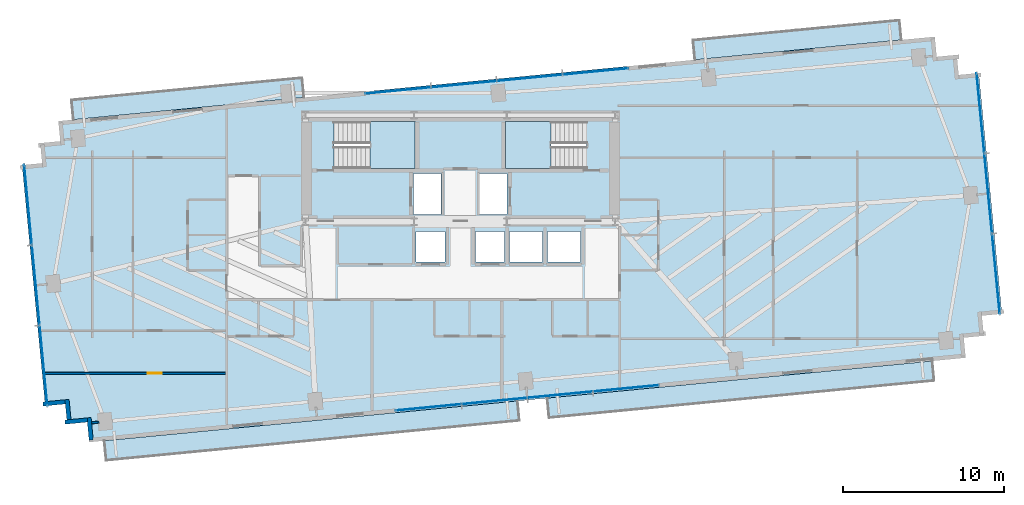
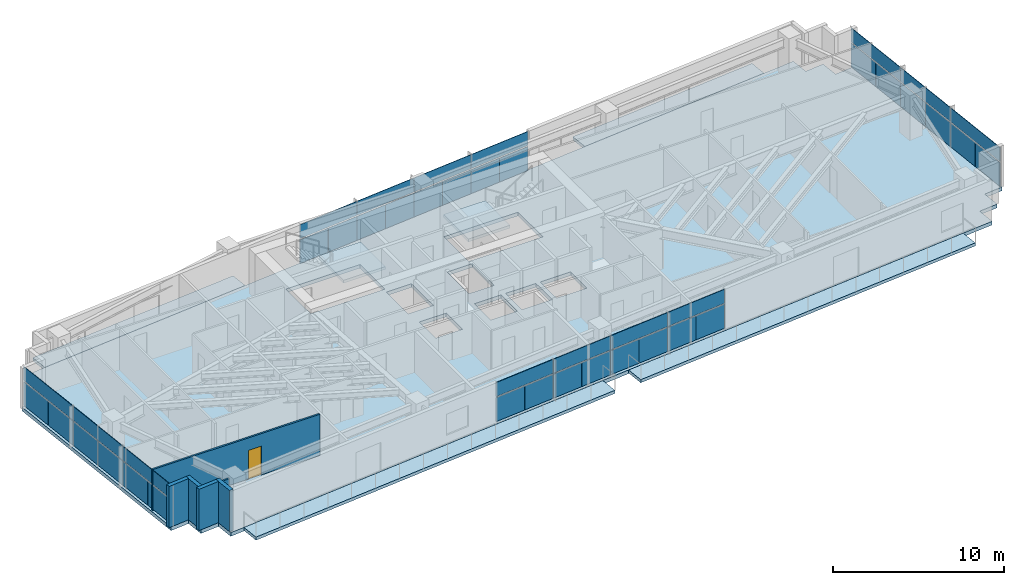
# One storey, part 18 of 25: 42 plates, 7 slabs, 6 walls, 1 door, 1 opening, 6 elements without a shape of their own.
"""IFC4 building model written with IfcOpenShell, lengths in metres."""

from ifc_helpers import new_model, si_unit, direction, frame, frame_2d, origin, origin_2d, place, context, subcontext, project, spatial, polyline, rectangle, outline, extrude, source, transform, mapped, material, layer, layer_set, type_object, type_shapes, element, fill, aggregate, save


model = new_model("IFC4")

# Units and contexts
model_context = context("Model", 3, precision=1e-05, world=origin(), true_north=direction((0.0, 1.0)))
body_context = subcontext(model_context, "Body", "Model", "MODEL_VIEW")
ifc_project = project(units=[si_unit("LENGTHUNIT", "METRE"), si_unit("AREAUNIT", "SQUARE_METRE"), si_unit("VOLUMEUNIT", "CUBIC_METRE"), si_unit("PLANEANGLEUNIT", "RADIAN"), si_unit("MASSUNIT", "GRAM", prefix="KILO")], contexts=[model_context])

# Site, building, storey
site_placement = place(None, origin())
site = spatial("IfcSite", under=ifc_project, at=site_placement, CompositionType="ELEMENT")
building_placement = place(site_placement, origin())
building = spatial("IfcBuilding", under=site, at=building_placement, Name="Astriad Promenade Condominiums", CompositionType="ELEMENT")
storey_placement = place(building_placement, frame((0.0, 0.0, 106.60009765625)))
storey = spatial("IfcBuildingStorey", under=building, at=storey_placement, Name="L30", CompositionType="ELEMENT", Elevation=106.60009765625)

# Slab
ifc_material_1 = material(Name="Concrete C50/60", Category="concrete")
ifc_layer_1 = layer(ifc_material_1, 0.260009765625)
ifc_layer_set_1 = layer_set([ifc_layer_1], Name="Concrete C50/60")
slab_type_1 = type_object("IfcSlabType", Name="CONCRETE TOWER FLOOR SLAB 260", PredefinedType="FLOOR", material=ifc_layer_set_1)
slab_1_placement = place(storey_placement, frame((0.0, 0.0, -0.260009765625)))
element("IfcSlab", 1, at=slab_1_placement, inside=storey, type_object=slab_type_1, Name="Structural Floor Slab (L30)", PredefinedType="FLOOR", context=body_context, shape_type="SweptSolid", body=[
    extrude(outline(polyline([(12.984130859375, 3.7294921875), (67.332763671875, 8.962646484375), (67.212890625, 10.206787109375), (68.457275390625, 10.32666015625), (68.33740234375, 11.57080078125), (69.58154296875, 11.690673828125), (68.14404296875, 26.62158203125), (66.899658203125, 26.501953125), (66.77978515625, 27.74609375), (65.53564453125, 27.626220703125), (65.416015625, 28.87060546875), (11.067138671875, 23.637451171875), (11.18701171875, 22.39306640625), (9.94287109375, 22.273193359375), (10.0625, 21.029052734375), (8.818359375, 20.9091796875), (10.256103515625, 5.978271484375), (11.500244140625, 6.09814453125), (11.6201171875, 4.85400390625), (12.8642578125, 4.9736328125), (12.984130859375, 3.7294921875)]), holes=[polyline([(28.175048828125, 20.699951171875), (33.175048828125, 20.699951171875), (33.175048828125, 23.60009765625), (28.175048828125, 23.60009765625), (28.175048828125, 20.699951171875)]), polyline([(38.824951171875, 20.699951171875), (43.824951171875, 20.699951171875), (43.824951171875, 23.60009765625), (38.824951171875, 23.60009765625), (38.824951171875, 20.699951171875)]), polyline([(33.10009765625, 17.85009765625), (34.800048828125, 17.85009765625), (34.800048828125, 20.39990234375), (33.10009765625, 20.39990234375), (33.10009765625, 17.85009765625)]), polyline([(37.199951171875, 17.85009765625), (38.89990234375, 17.85009765625), (38.89990234375, 20.39990234375), (37.199951171875, 20.39990234375), (37.199951171875, 17.85009765625)]), polyline([(33.25, 14.89990234375), (35.050048828125, 14.89990234375), (35.050048828125, 16.800048828125), (33.25, 16.800048828125), (33.25, 14.89990234375)]), polyline([(36.949951171875, 14.89990234375), (38.75, 14.89990234375), (38.75, 16.800048828125), (36.949951171875, 16.800048828125), (36.949951171875, 14.89990234375)]), polyline([(39.050048828125, 14.89990234375), (41.10009765625, 14.89990234375), (41.10009765625, 16.800048828125), (39.050048828125, 16.800048828125), (39.050048828125, 14.89990234375)]), polyline([(41.39990234375, 14.89990234375), (43.449951171875, 14.89990234375), (43.449951171875, 16.800048828125), (41.39990234375, 16.800048828125), (41.39990234375, 14.89990234375)])]), origin(), (0.0, 0.0, 1.0), 0.260009765625),
])

# Stair, slab
stair_type = type_object("IfcStairType", Name="STR-CORE-1350", PredefinedType="HALF_TURN_STAIR", material=ifc_material_1)
stair_1_placement = place(storey_placement, origin())
stair_1 = element("IfcStair", 2, at=stair_1_placement, inside=storey, type_object=stair_type, Name="L30 Enclosed Core Exit Stair ST-1", PredefinedType="HALF_TURN_STAIR")
ifc_layer_2 = layer(ifc_material_1, 0.219970703125)
ifc_layer_set_2 = layer_set([ifc_layer_2], Name="Concrete C50/60")
slab_type_2 = type_object("IfcSlabType", Name="SLB-LANDING-220", PredefinedType="LANDING", material=ifc_layer_set_2)
slab_2_placement = place(storey_placement, frame((0.0, 0.0, 1.39990234375)))
slab_2 = element("IfcSlab", 3, at=slab_2_placement, type_object=slab_type_2, Name="ST-1 landing 1", PredefinedType="LANDING", context=body_context, shape_type="SweptSolid", body=[
    extrude(outline(polyline([(30.389892578125, 20.699951171875), (33.199951171875, 20.699951171875), (33.199951171875, 23.60009765625), (30.389892578125, 23.60009765625), (30.389892578125, 20.699951171875)])), origin(), (0.0, 0.0, 1.0), 0.199951171875),
])
aggregate(stair_1, [slab_2])

stair_2_placement = place(storey_placement, origin())
stair_2 = element("IfcStair", 4, at=stair_2_placement, inside=storey, type_object=stair_type, Name="L30 Enclosed Core Exit Stair ST-2", PredefinedType="HALF_TURN_STAIR")
slab_3_placement = place(storey_placement, frame((0.0, 0.0, 1.39990234375)))
slab_3 = element("IfcSlab", 5, at=slab_3_placement, type_object=slab_type_2, Name="ST-2 landing 1", PredefinedType="LANDING", context=body_context, shape_type="SweptSolid", body=[
    extrude(outline(polyline([(41.610107421875, 23.60009765625), (38.800048828125, 23.60009765625), (38.800048828125, 20.699951171875), (41.610107421875, 20.699951171875), (41.610107421875, 23.60009765625)])), origin(), (0.0, 0.0, 1.0), 0.199951171875),
])
aggregate(stair_2, [slab_3])

# Slabs
ifc_material_2 = material(Name="Precast concrete C50/60", Category="concrete")
ifc_layer_3 = layer(ifc_material_2, 0.219970703125)
ifc_layer_set_3 = layer_set([ifc_layer_3], Name="Precast concrete C50/60")
slab_type_3 = type_object("IfcSlabType", Name="WHITE PRECAST CONCRETE WAVE BALCONY SLAB 220", PredefinedType="FLOOR", material=ifc_layer_set_3)
slab_4_placement = place(storey_placement, frame((0.0, 0.0, -0.22021484375)))
element("IfcSlab", 6, at=slab_4_placement, inside=storey, type_object=slab_type_3, Name="White Precast Wave Balcony Slab BAL-L30-SW", PredefinedType="FLOOR", context=body_context, shape_type="SweptSolid", body=[
    extrude(outline(polyline([(39.6552734375, 5.072021484375), (14.035888671875, 2.60498046875), (13.9189453125, 3.8173828125), (39.53857421875, 6.2841796875), (39.6552734375, 5.072021484375)])), origin(), (0.0, 0.0, 1.0), 0.22021484375),
])
slab_5_placement = place(storey_placement, frame((0.0, 0.0, -0.22021484375)))
element("IfcSlab", 7, at=slab_5_placement, inside=storey, type_object=slab_type_3, Name="White Precast Wave Balcony Slab BAL-L30-SE", PredefinedType="FLOOR", context=body_context, shape_type="SweptSolid", body=[
    extrude(outline(polyline([(65.376220703125, 7.548583984375), (41.501708984375, 5.249755859375), (41.385009765625, 6.462158203125), (65.259521484375, 8.760986328125), (65.376220703125, 7.548583984375)])), origin(), (0.0, 0.0, 1.0), 0.22021484375),
])
slab_6_placement = place(storey_placement, frame((0.0, 0.0, -0.22021484375)))
element("IfcSlab", 8, at=slab_6_placement, inside=storey, type_object=slab_type_3, Name="White Precast Wave Balcony Slab BAL-L30-NW", PredefinedType="FLOOR", context=body_context, shape_type="SweptSolid", body=[
    extrude(outline(polyline([(11.885009765625, 24.94189453125), (26.179931640625, 26.318115234375), (26.296630859375, 25.105712890625), (12.001708984375, 23.7294921875), (11.885009765625, 24.94189453125)])), origin(), (0.0, 0.0, 1.0), 0.22021484375),
])
slab_7_placement = place(storey_placement, frame((0.0, 0.0, -0.22021484375)))
element("IfcSlab", 9, at=slab_7_placement, inside=storey, type_object=slab_type_3, Name="White Precast Wave Balcony Slab BAL-L30-NE", PredefinedType="FLOOR", context=body_context, shape_type="SweptSolid", body=[
    extrude(outline(polyline([(50.427734375, 28.653076171875), (63.2255859375, 29.88525390625), (63.34228515625, 28.6728515625), (50.54443359375, 27.440673828125), (50.427734375, 28.653076171875)])), origin(), (0.0, 0.0, 1.0), 0.22021484375),
])

# Curtain wall, plates
ifc_material_3 = material(Name="Anodised aluminium Black Dark Glass Unitised", Category="aluminium")
curtain_wall_type = type_object("IfcCurtainWallType", Name="CW-B2-DARK", PredefinedType="USERDEFINED", material=ifc_material_3)
curtain_wall_1_placement = place(storey_placement, origin())
curtain_wall_1 = element("IfcCurtainWall", 10, at=curtain_wall_1_placement, inside=storey, type_object=curtain_wall_type, Name="CW-L30-W", ObjectType="UNITISED_CURTAIN_WALL", PredefinedType="USERDEFINED")
ifc_material_4 = material(Name="Dark Tinted Low-E Laminated Glass", Category="glass")
ifc_layer_4 = layer(ifc_material_4, 0.035888671875)
ifc_layer_set_4 = layer_set([ifc_layer_4], Name="Dark Tinted Low-E Laminated Glass")
plate_type = type_object("IfcPlateType", Name="PNL-DARK-GLASS-36", PredefinedType="CURTAIN_PANEL", material=ifc_layer_set_4)
shared_shape_1 = source(origin(), body_context, "Body", "SweptSolid", [
    extrude(rectangle(XDim=2.488037109375, YDim=0.035888671875, at=origin_2d()), origin(), (0.0, 0.0, 1.0), 1.702880859375),
])
plate_1_placement = place(storey_placement, frame((10.265625, 7.235107421875, 0.080078125), z_axis=(0.0, 0.0, 1.0), x_axis=(-0.09584575252, 0.995396198367, 0.0)))
plate_1 = element("IfcPlate", 11, at=plate_1_placement, type_object=plate_type, Name="CW-L30-W-PNL-00-VL", PredefinedType="CURTAIN_PANEL", context=body_context, shape_type="MappedRepresentation", body=[
    mapped(shared_shape_1, transform((0.0, 0.0, 0.0), scale=1.0)),
])
plate_2_placement = place(storey_placement, frame((10.02587890625, 9.723388671875, 0.080078125), z_axis=(0.0, 0.0, 1.0), x_axis=(-0.09584575252, 0.995396198367, 0.0)))
plate_2 = element("IfcPlate", 12, at=plate_2_placement, type_object=plate_type, Name="CW-L30-W-PNL-00-VR", PredefinedType="CURTAIN_PANEL", context=body_context, shape_type="MappedRepresentation", body=[
    mapped(shared_shape_1, transform((0.0, 0.0, 0.0), scale=1.0)),
])
plate_3_placement = place(storey_placement, frame((9.786376953125, 12.212158203125, 0.080078125), z_axis=(0.0, 0.0, 1.0), x_axis=(-0.09584575252, 0.995396198367, 0.0)))
plate_3 = element("IfcPlate", 13, at=plate_3_placement, type_object=plate_type, Name="CW-L30-W-PNL-01-VL", PredefinedType="CURTAIN_PANEL", context=body_context, shape_type="MappedRepresentation", body=[
    mapped(shared_shape_1, transform((0.0, 0.0, 0.0), scale=1.0)),
])
plate_4_placement = place(storey_placement, frame((9.546875, 14.700439453125, 0.080078125), z_axis=(0.0, 0.0, 1.0), x_axis=(-0.09584575252, 0.995396198367, 0.0)))
plate_4 = element("IfcPlate", 14, at=plate_4_placement, type_object=plate_type, Name="CW-L30-W-PNL-01-VR", PredefinedType="CURTAIN_PANEL", context=body_context, shape_type="MappedRepresentation", body=[
    mapped(shared_shape_1, transform((0.0, 0.0, 0.0), scale=1.0)),
])
plate_5_placement = place(storey_placement, frame((9.30712890625, 17.189208984375, 0.080078125), z_axis=(0.0, 0.0, 1.0), x_axis=(-0.09584575252, 0.995396198367, 0.0)))
plate_5 = element("IfcPlate", 15, at=plate_5_placement, type_object=plate_type, Name="CW-L30-W-PNL-02-VL", PredefinedType="CURTAIN_PANEL", context=body_context, shape_type="MappedRepresentation", body=[
    mapped(shared_shape_1, transform((0.0, 0.0, 0.0), scale=1.0)),
])
plate_6_placement = place(storey_placement, frame((9.067626953125, 19.677490234375, 0.080078125), z_axis=(0.0, 0.0, 1.0), x_axis=(-0.09584575252, 0.995396198367, 0.0)))
plate_6 = element("IfcPlate", 16, at=plate_6_placement, type_object=plate_type, Name="CW-L30-W-PNL-02-VR", PredefinedType="CURTAIN_PANEL", context=body_context, shape_type="MappedRepresentation", body=[
    mapped(shared_shape_1, transform((0.0, 0.0, 0.0), scale=1.0)),
])

curtain_wall_2_placement = place(storey_placement, origin())
curtain_wall_2 = element("IfcCurtainWall", 17, at=curtain_wall_2_placement, inside=storey, type_object=curtain_wall_type, Name="CW-L30-E", ObjectType="UNITISED_CURTAIN_WALL", PredefinedType="USERDEFINED")
plate_7_placement = place(storey_placement, frame((68.134521484375, 25.364990234375, 0.080078125), z_axis=(0.0, 0.0, 1.0), x_axis=(0.09584575252, -0.995396198367, 0.0)))
plate_7 = element("IfcPlate", 18, at=plate_7_placement, type_object=plate_type, Name="CW-L30-E-PNL-00-VL", PredefinedType="CURTAIN_PANEL", context=body_context, shape_type="MappedRepresentation", body=[
    mapped(shared_shape_1, transform((0.0, 0.0, 0.0), scale=1.0)),
])
plate_8_placement = place(storey_placement, frame((68.3740234375, 22.87646484375, 0.080078125), z_axis=(0.0, 0.0, 1.0), x_axis=(0.09584575252, -0.995396198367, 0.0)))
plate_8 = element("IfcPlate", 19, at=plate_8_placement, type_object=plate_type, Name="CW-L30-E-PNL-00-VR", PredefinedType="CURTAIN_PANEL", context=body_context, shape_type="MappedRepresentation", body=[
    mapped(shared_shape_1, transform((0.0, 0.0, 0.0), scale=1.0)),
])
plate_9_placement = place(storey_placement, frame((68.613525390625, 20.387939453125, 0.080078125), z_axis=(0.0, 0.0, 1.0), x_axis=(0.09584575252, -0.995396198367, 0.0)))
plate_9 = element("IfcPlate", 20, at=plate_9_placement, type_object=plate_type, Name="CW-L30-E-PNL-01-VL", PredefinedType="CURTAIN_PANEL", context=body_context, shape_type="MappedRepresentation", body=[
    mapped(shared_shape_1, transform((0.0, 0.0, 0.0), scale=1.0)),
])
plate_10_placement = place(storey_placement, frame((68.853271484375, 17.8994140625, 0.080078125), z_axis=(0.0, 0.0, 1.0), x_axis=(0.09584575252, -0.995396198367, 0.0)))
plate_10 = element("IfcPlate", 21, at=plate_10_placement, type_object=plate_type, Name="CW-L30-E-PNL-01-VR", PredefinedType="CURTAIN_PANEL", context=body_context, shape_type="MappedRepresentation", body=[
    mapped(shared_shape_1, transform((0.0, 0.0, 0.0), scale=1.0)),
])
plate_11_placement = place(storey_placement, frame((69.0927734375, 15.410888671875, 0.080078125), z_axis=(0.0, 0.0, 1.0), x_axis=(0.09584575252, -0.995396198367, 0.0)))
plate_11 = element("IfcPlate", 22, at=plate_11_placement, type_object=plate_type, Name="CW-L30-E-PNL-02-VL", PredefinedType="CURTAIN_PANEL", context=body_context, shape_type="MappedRepresentation", body=[
    mapped(shared_shape_1, transform((0.0, 0.0, 0.0), scale=1.0)),
])
plate_12_placement = place(storey_placement, frame((69.33251953125, 12.922607421875, 0.080078125), z_axis=(0.0, 0.0, 1.0), x_axis=(0.09584575252, -0.995396198367, 0.0)))
plate_12 = element("IfcPlate", 23, at=plate_12_placement, type_object=plate_type, Name="CW-L30-E-PNL-02-VR", PredefinedType="CURTAIN_PANEL", context=body_context, shape_type="MappedRepresentation", body=[
    mapped(shared_shape_1, transform((0.0, 0.0, 0.0), scale=1.0)),
])

# Plate
shared_shape_2 = source(origin(), body_context, "Body", "SweptSolid", [
    extrude(rectangle(XDim=4.988037109375, YDim=0.035888671875, at=origin_2d()), origin(), (0.0, 0.0, 1.0), 0.997314453125),
])
plate_13_placement = place(storey_placement, frame((10.145751953125, 8.479248046875, 1.86279296875), z_axis=(0.0, 0.0, 1.0), x_axis=(-0.09584575252, 0.995396198367, 0.0)))
plate_13 = element("IfcPlate", 24, at=plate_13_placement, type_object=plate_type, Name="CW-L30-W-PNL-00-S", PredefinedType="CURTAIN_PANEL", context=body_context, shape_type="MappedRepresentation", body=[
    mapped(shared_shape_2, transform((0.0, 0.0, 0.0), scale=1.0)),
])

plate_14_placement = place(storey_placement, frame((9.66650390625, 13.456298828125, 1.86279296875), z_axis=(0.0, 0.0, 1.0), x_axis=(-0.09584575252, 0.995396198367, 0.0)))
plate_14 = element("IfcPlate", 25, at=plate_14_placement, type_object=plate_type, Name="CW-L30-W-PNL-01-S", PredefinedType="CURTAIN_PANEL", context=body_context, shape_type="MappedRepresentation", body=[
    mapped(shared_shape_2, transform((0.0, 0.0, 0.0), scale=1.0)),
])

plate_15_placement = place(storey_placement, frame((9.1875, 18.433349609375, 1.86279296875), z_axis=(0.0, 0.0, 1.0), x_axis=(-0.09584575252, 0.995396198367, 0.0)))
plate_15 = element("IfcPlate", 26, at=plate_15_placement, type_object=plate_type, Name="CW-L30-W-PNL-02-S", PredefinedType="CURTAIN_PANEL", context=body_context, shape_type="MappedRepresentation", body=[
    mapped(shared_shape_2, transform((0.0, 0.0, 0.0), scale=1.0)),
])

aggregate(curtain_wall_1, [plate_1, plate_2, plate_13, plate_3, plate_4, plate_14, plate_5, plate_6, plate_15])

plate_16_placement = place(storey_placement, frame((68.254150390625, 24.12060546875, 1.86279296875), z_axis=(0.0, 0.0, 1.0), x_axis=(0.09584575252, -0.995396198367, 0.0)))
plate_16 = element("IfcPlate", 27, at=plate_16_placement, type_object=plate_type, Name="CW-L30-E-PNL-00-S", PredefinedType="CURTAIN_PANEL", context=body_context, shape_type="MappedRepresentation", body=[
    mapped(shared_shape_2, transform((0.0, 0.0, 0.0), scale=1.0)),
])

plate_17_placement = place(storey_placement, frame((68.7333984375, 19.143798828125, 1.86279296875), z_axis=(0.0, 0.0, 1.0), x_axis=(0.09584575252, -0.995396198367, 0.0)))
plate_17 = element("IfcPlate", 28, at=plate_17_placement, type_object=plate_type, Name="CW-L30-E-PNL-01-S", PredefinedType="CURTAIN_PANEL", context=body_context, shape_type="MappedRepresentation", body=[
    mapped(shared_shape_2, transform((0.0, 0.0, 0.0), scale=1.0)),
])

plate_18_placement = place(storey_placement, frame((69.212646484375, 14.166748046875, 1.86279296875), z_axis=(0.0, 0.0, 1.0), x_axis=(0.09584575252, -0.995396198367, 0.0)))
plate_18 = element("IfcPlate", 29, at=plate_18_placement, type_object=plate_type, Name="CW-L30-E-PNL-02-S", PredefinedType="CURTAIN_PANEL", context=body_context, shape_type="MappedRepresentation", body=[
    mapped(shared_shape_2, transform((0.0, 0.0, 0.0), scale=1.0)),
])

aggregate(curtain_wall_2, [plate_7, plate_8, plate_16, plate_9, plate_10, plate_17, plate_11, plate_12, plate_18])

# Curtain wall, plates
curtain_wall_3_placement = place(storey_placement, origin())
curtain_wall_3 = element("IfcCurtainWall", 30, at=curtain_wall_3_placement, inside=storey, type_object=curtain_wall_type, Name="CW-L30-N", ObjectType="UNITISED_CURTAIN_WALL", PredefinedType="USERDEFINED")
shared_shape_3 = source(origin(), body_context, "Body", "SweptSolid", [
    extrude(rectangle(XDim=2.035400390625, YDim=0.035888671875, at=origin_2d()), origin(), (0.0, 0.0, 1.0), 1.702880859375),
])
plate_19_placement = place(storey_placement, frame((31.12060546875, 25.437744140625, 0.080078125), z_axis=(0.0, 0.0, 1.0), x_axis=(0.995396198367, 0.09584575252, 0.0)))
plate_19 = element("IfcPlate", 31, at=plate_19_placement, type_object=plate_type, Name="CW-L30-N-PNL-00-VL", PredefinedType="CURTAIN_PANEL", context=body_context, shape_type="MappedRepresentation", body=[
    mapped(shared_shape_3, transform((0.0, 0.0, 0.0), scale=1.0)),
])
plate_20_placement = place(storey_placement, frame((33.15869140625, 25.634033203125, 0.080078125), z_axis=(0.0, 0.0, 1.0), x_axis=(0.995396198367, 0.09584575252, 0.0)))
plate_20 = element("IfcPlate", 32, at=plate_20_placement, type_object=plate_type, Name="CW-L30-N-PNL-00-VR", PredefinedType="CURTAIN_PANEL", context=body_context, shape_type="MappedRepresentation", body=[
    mapped(shared_shape_3, transform((0.0, 0.0, 0.0), scale=1.0)),
])
plate_21_placement = place(storey_placement, frame((35.19677734375, 25.830078125, 0.080078125), z_axis=(0.0, 0.0, 1.0), x_axis=(0.995396198367, 0.09584575252, 0.0)))
plate_21 = element("IfcPlate", 33, at=plate_21_placement, type_object=plate_type, Name="CW-L30-N-PNL-01-VL", PredefinedType="CURTAIN_PANEL", context=body_context, shape_type="MappedRepresentation", body=[
    mapped(shared_shape_3, transform((0.0, 0.0, 0.0), scale=1.0)),
])
plate_22_placement = place(storey_placement, frame((37.23486328125, 26.026611328125, 0.080078125), z_axis=(0.0, 0.0, 1.0), x_axis=(0.995396198367, 0.09584575252, 0.0)))
plate_22 = element("IfcPlate", 34, at=plate_22_placement, type_object=plate_type, Name="CW-L30-N-PNL-01-VR", PredefinedType="CURTAIN_PANEL", context=body_context, shape_type="MappedRepresentation", body=[
    mapped(shared_shape_3, transform((0.0, 0.0, 0.0), scale=1.0)),
])
plate_23_placement = place(storey_placement, frame((39.27294921875, 26.22265625, 0.080078125), z_axis=(0.0, 0.0, 1.0), x_axis=(0.995396198367, 0.09584575252, 0.0)))
plate_23 = element("IfcPlate", 35, at=plate_23_placement, type_object=plate_type, Name="CW-L30-N-PNL-02-VL", PredefinedType="CURTAIN_PANEL", context=body_context, shape_type="MappedRepresentation", body=[
    mapped(shared_shape_3, transform((0.0, 0.0, 0.0), scale=1.0)),
])
plate_24_placement = place(storey_placement, frame((41.31103515625, 26.4189453125, 0.080078125), z_axis=(0.0, 0.0, 1.0), x_axis=(0.995396198367, 0.09584575252, 0.0)))
plate_24 = element("IfcPlate", 36, at=plate_24_placement, type_object=plate_type, Name="CW-L30-N-PNL-02-VR", PredefinedType="CURTAIN_PANEL", context=body_context, shape_type="MappedRepresentation", body=[
    mapped(shared_shape_3, transform((0.0, 0.0, 0.0), scale=1.0)),
])
plate_25_placement = place(storey_placement, frame((43.34912109375, 26.615234375, 0.080078125), z_axis=(0.0, 0.0, 1.0), x_axis=(0.995396198367, 0.09584575252, 0.0)))
plate_25 = element("IfcPlate", 37, at=plate_25_placement, type_object=plate_type, Name="CW-L30-N-PNL-03-VL", PredefinedType="CURTAIN_PANEL", context=body_context, shape_type="MappedRepresentation", body=[
    mapped(shared_shape_3, transform((0.0, 0.0, 0.0), scale=1.0)),
])
plate_26_placement = place(storey_placement, frame((45.38720703125, 26.8115234375, 0.080078125), z_axis=(0.0, 0.0, 1.0), x_axis=(0.995396198367, 0.09584575252, 0.0)))
plate_26 = element("IfcPlate", 38, at=plate_26_placement, type_object=plate_type, Name="CW-L30-N-PNL-03-VR", PredefinedType="CURTAIN_PANEL", context=body_context, shape_type="MappedRepresentation", body=[
    mapped(shared_shape_3, transform((0.0, 0.0, 0.0), scale=1.0)),
])

curtain_wall_4_placement = place(storey_placement, origin())
curtain_wall_4 = element("IfcCurtainWall", 39, at=curtain_wall_4_placement, inside=storey, type_object=curtain_wall_type, Name="CW-L30-S", ObjectType="UNITISED_CURTAIN_WALL", PredefinedType="USERDEFINED")
plate_27_placement = place(storey_placement, frame((47.279296875, 7.162353515625, 0.080078125), z_axis=(0.0, 0.0, 1.0), x_axis=(-0.995396198367, -0.09584575252, 0.0)))
plate_27 = element("IfcPlate", 40, at=plate_27_placement, type_object=plate_type, Name="CW-L30-S-PNL-00-VL", PredefinedType="CURTAIN_PANEL", context=body_context, shape_type="MappedRepresentation", body=[
    mapped(shared_shape_3, transform((0.0, 0.0, 0.0), scale=1.0)),
])
plate_28_placement = place(storey_placement, frame((45.2412109375, 6.966064453125, 0.080078125), z_axis=(0.0, 0.0, 1.0), x_axis=(-0.995396198367, -0.09584575252, 0.0)))
plate_28 = element("IfcPlate", 41, at=plate_28_placement, type_object=plate_type, Name="CW-L30-S-PNL-00-VR", PredefinedType="CURTAIN_PANEL", context=body_context, shape_type="MappedRepresentation", body=[
    mapped(shared_shape_3, transform((0.0, 0.0, 0.0), scale=1.0)),
])
plate_29_placement = place(storey_placement, frame((43.203125, 6.769775390625, 0.080078125), z_axis=(0.0, 0.0, 1.0), x_axis=(-0.995396198367, -0.09584575252, 0.0)))
plate_29 = element("IfcPlate", 42, at=plate_29_placement, type_object=plate_type, Name="CW-L30-S-PNL-01-VL", PredefinedType="CURTAIN_PANEL", context=body_context, shape_type="MappedRepresentation", body=[
    mapped(shared_shape_3, transform((0.0, 0.0, 0.0), scale=1.0)),
])
plate_30_placement = place(storey_placement, frame((41.1650390625, 6.573486328125, 0.080078125), z_axis=(0.0, 0.0, 1.0), x_axis=(-0.995396198367, -0.09584575252, 0.0)))
plate_30 = element("IfcPlate", 43, at=plate_30_placement, type_object=plate_type, Name="CW-L30-S-PNL-01-VR", PredefinedType="CURTAIN_PANEL", context=body_context, shape_type="MappedRepresentation", body=[
    mapped(shared_shape_3, transform((0.0, 0.0, 0.0), scale=1.0)),
])
plate_31_placement = place(storey_placement, frame((39.126953125, 6.377197265625, 0.080078125), z_axis=(0.0, 0.0, 1.0), x_axis=(-0.995396198367, -0.09584575252, 0.0)))
plate_31 = element("IfcPlate", 44, at=plate_31_placement, type_object=plate_type, Name="CW-L30-S-PNL-02-VL", PredefinedType="CURTAIN_PANEL", context=body_context, shape_type="MappedRepresentation", body=[
    mapped(shared_shape_3, transform((0.0, 0.0, 0.0), scale=1.0)),
])
plate_32_placement = place(storey_placement, frame((37.0888671875, 6.180908203125, 0.080078125), z_axis=(0.0, 0.0, 1.0), x_axis=(-0.995396198367, -0.09584575252, 0.0)))
plate_32 = element("IfcPlate", 45, at=plate_32_placement, type_object=plate_type, Name="CW-L30-S-PNL-02-VR", PredefinedType="CURTAIN_PANEL", context=body_context, shape_type="MappedRepresentation", body=[
    mapped(shared_shape_3, transform((0.0, 0.0, 0.0), scale=1.0)),
])
plate_33_placement = place(storey_placement, frame((35.05078125, 5.98486328125, 0.080078125), z_axis=(0.0, 0.0, 1.0), x_axis=(-0.995396198367, -0.09584575252, 0.0)))
plate_33 = element("IfcPlate", 46, at=plate_33_placement, type_object=plate_type, Name="CW-L30-S-PNL-03-VL", PredefinedType="CURTAIN_PANEL", context=body_context, shape_type="MappedRepresentation", body=[
    mapped(shared_shape_3, transform((0.0, 0.0, 0.0), scale=1.0)),
])
plate_34_placement = place(storey_placement, frame((33.0126953125, 5.78857421875, 0.080078125), z_axis=(0.0, 0.0, 1.0), x_axis=(-0.995396198367, -0.09584575252, 0.0)))
plate_34 = element("IfcPlate", 47, at=plate_34_placement, type_object=plate_type, Name="CW-L30-S-PNL-03-VR", PredefinedType="CURTAIN_PANEL", context=body_context, shape_type="MappedRepresentation", body=[
    mapped(shared_shape_3, transform((0.0, 0.0, 0.0), scale=1.0)),
])

# Plate
shared_shape_4 = source(origin(), body_context, "Body", "SweptSolid", [
    extrude(rectangle(XDim=4.0830078125, YDim=0.035888671875, at=origin_2d()), origin(), (0.0, 0.0, 1.0), 0.997314453125),
])
type_shapes(plate_type, [shared_shape_1, shared_shape_2, shared_shape_3, shared_shape_4])
plate_35_placement = place(storey_placement, frame((32.1396484375, 25.535888671875, 1.86279296875), z_axis=(0.0, 0.0, 1.0), x_axis=(0.995396198367, 0.09584575252, 0.0)))
plate_35 = element("IfcPlate", 48, at=plate_35_placement, type_object=plate_type, Name="CW-L30-N-PNL-00-S", PredefinedType="CURTAIN_PANEL", context=body_context, shape_type="MappedRepresentation", body=[
    mapped(shared_shape_4, transform((0.0, 0.0, 0.0), scale=1.0)),
])

plate_36_placement = place(storey_placement, frame((36.2158203125, 25.928466796875, 1.86279296875), z_axis=(0.0, 0.0, 1.0), x_axis=(0.995396198367, 0.09584575252, 0.0)))
plate_36 = element("IfcPlate", 49, at=plate_36_placement, type_object=plate_type, Name="CW-L30-N-PNL-01-S", PredefinedType="CURTAIN_PANEL", context=body_context, shape_type="MappedRepresentation", body=[
    mapped(shared_shape_4, transform((0.0, 0.0, 0.0), scale=1.0)),
])

plate_37_placement = place(storey_placement, frame((40.2919921875, 26.32080078125, 1.86279296875), z_axis=(0.0, 0.0, 1.0), x_axis=(0.995396198367, 0.09584575252, 0.0)))
plate_37 = element("IfcPlate", 50, at=plate_37_placement, type_object=plate_type, Name="CW-L30-N-PNL-02-S", PredefinedType="CURTAIN_PANEL", context=body_context, shape_type="MappedRepresentation", body=[
    mapped(shared_shape_4, transform((0.0, 0.0, 0.0), scale=1.0)),
])

plate_38_placement = place(storey_placement, frame((44.368408203125, 26.71337890625, 1.86279296875), z_axis=(0.0, 0.0, 1.0), x_axis=(0.995396198367, 0.09584575252, 0.0)))
plate_38 = element("IfcPlate", 51, at=plate_38_placement, type_object=plate_type, Name="CW-L30-N-PNL-03-S", PredefinedType="CURTAIN_PANEL", context=body_context, shape_type="MappedRepresentation", body=[
    mapped(shared_shape_4, transform((0.0, 0.0, 0.0), scale=1.0)),
])

aggregate(curtain_wall_3, [plate_19, plate_20, plate_35, plate_21, plate_22, plate_36, plate_23, plate_24, plate_37, plate_25, plate_26, plate_38])

plate_39_placement = place(storey_placement, frame((46.26025390625, 7.064208984375, 1.86279296875), z_axis=(0.0, 0.0, 1.0), x_axis=(-0.995396198367, -0.09584575252, 0.0)))
plate_39 = element("IfcPlate", 52, at=plate_39_placement, type_object=plate_type, Name="CW-L30-S-PNL-00-S", PredefinedType="CURTAIN_PANEL", context=body_context, shape_type="MappedRepresentation", body=[
    mapped(shared_shape_4, transform((0.0, 0.0, 0.0), scale=1.0)),
])

plate_40_placement = place(storey_placement, frame((42.18408203125, 6.671630859375, 1.86279296875), z_axis=(0.0, 0.0, 1.0), x_axis=(-0.995396198367, -0.09584575252, 0.0)))
plate_40 = element("IfcPlate", 53, at=plate_40_placement, type_object=plate_type, Name="CW-L30-S-PNL-01-S", PredefinedType="CURTAIN_PANEL", context=body_context, shape_type="MappedRepresentation", body=[
    mapped(shared_shape_4, transform((0.0, 0.0, 0.0), scale=1.0)),
])

plate_41_placement = place(storey_placement, frame((38.10791015625, 6.279052734375, 1.86279296875), z_axis=(0.0, 0.0, 1.0), x_axis=(-0.995396198367, -0.09584575252, 0.0)))
plate_41 = element("IfcPlate", 54, at=plate_41_placement, type_object=plate_type, Name="CW-L30-S-PNL-02-S", PredefinedType="CURTAIN_PANEL", context=body_context, shape_type="MappedRepresentation", body=[
    mapped(shared_shape_4, transform((0.0, 0.0, 0.0), scale=1.0)),
])

plate_42_placement = place(storey_placement, frame((34.03173828125, 5.88671875, 1.86279296875), z_axis=(0.0, 0.0, 1.0), x_axis=(-0.995396198367, -0.09584575252, 0.0)))
plate_42 = element("IfcPlate", 55, at=plate_42_placement, type_object=plate_type, Name="CW-L30-S-PNL-03-S", PredefinedType="CURTAIN_PANEL", context=body_context, shape_type="MappedRepresentation", body=[
    mapped(shared_shape_4, transform((0.0, 0.0, 0.0), scale=1.0)),
])

aggregate(curtain_wall_4, [plate_27, plate_28, plate_39, plate_29, plate_30, plate_40, plate_31, plate_32, plate_41, plate_33, plate_34, plate_42])

# Walls
ifc_layer_5 = layer(ifc_material_2, 0.260009765625)
ifc_layer_set_5 = layer_set([ifc_layer_5], Name="Precast concrete C50/60")
wall_type_1 = type_object("IfcWallType", Name="WALL-EXT-TWR-260", PredefinedType="STANDARD", material=ifc_layer_set_5)
for number, where, z_axis, x_axis, name in (
    (56, (12.86669921875, 5.1044921875, 0.0), (0.0, 0.0, 1.0), (-0.995389446633, -0.095915846097, 0.0), "W-SER-L30-00"),
    (57, (11.738525390625, 4.98095703125, 0.0), (0.0, 0.0, 1.0), (-0.095915846097, 0.995389446633, 0.0), "W-SER-L30-01"),
):
    element("IfcWall", number, at=place(storey_placement, frame(where, z_axis=z_axis, x_axis=x_axis)), inside=storey, type_object=wall_type_1, Name=name, PredefinedType="STANDARD", context=body_context, shape_type="SweptSolid", body=[
        extrude(rectangle(XDim=1.394775390625, YDim=0.260009765625, at=frame_2d((0.697265625, 0.0))), origin(), (0.0, 0.0, 1.0), 2.93994140625),
    ])
for number, where, z_axis, x_axis, name in (
    (58, (11.502685546875, 6.22900390625, 0.0), (0.0, 0.0, 1.0), (-0.995391056452, -0.09589913835, 0.0), "W-SER-L30-02"),
    (59, (13.1025390625, 3.8564453125, 0.0), (0.0, 0.0, 1.0), (-0.09589913835, 0.995391056452, 0.0), "W-SER-L30-19"),
):
    element("IfcWall", number, at=place(storey_placement, frame(where, z_axis=z_axis, x_axis=x_axis)), inside=storey, type_object=wall_type_1, Name=name, PredefinedType="STANDARD", context=body_context, shape_type="SweptSolid", body=[
        extrude(rectangle(XDim=1.39501953125, YDim=0.260009765625, at=frame_2d((0.697509765625, 0.0))), origin(), (0.0, 0.0, 1.0), 2.93994140625),
    ])

# Wall, opening, door
ifc_material_5 = material(Name="Acoustic Metal-Stud Gypsum Partition")
ifc_layer_6 = layer(ifc_material_5, 0.1201171875)
ifc_layer_set_6 = layer_set([ifc_layer_6], Name="Acoustic Metal-Stud Gypsum Partition")
wall_type_2 = type_object("IfcWallType", Name="WALL-PART-120", PredefinedType="PARTITIONING", material=ifc_layer_set_6)
wall_1_placement = place(storey_placement, frame((10.14208984375, 7.9951171875, 0.0), z_axis=(0.0, 0.0, 1.0), x_axis=(1.0, 0.0, 0.0)))
wall_1 = element("IfcWall", 60, at=wall_1_placement, inside=storey, type_object=wall_type_2, Name="PT-L30-W1-WDS1", PredefinedType="PARTITIONING", context=body_context, shape_type="SweptSolid", body=[
    extrude(rectangle(XDim=11.27587890625, YDim=0.1201171875, at=frame_2d((5.637939453125, 0.0))), origin(), (0.0, 0.0, 1.0), 2.93994140625),
])
opening_placement = place(wall_1_placement, frame((6.480712890625, 0.0, 0.0)))
opening = element("IfcOpeningElement", 61, at=opening_placement, cuts=wall_1, Name="Opening D-INT-085", PredefinedType="OPENING", context=body_context, shape_type="SweptSolid", body=[
    extrude(rectangle(XDim=0.85009765625, YDim=2.050048828125, at=frame_2d((0.425048828125, 1.02490234375))), frame((0.0, 0.070068359375, 0.0), z_axis=(0.0, -1.0, 0.0), x_axis=(1.0, 0.0, 0.0)), (0.0, 0.0, 1.0), 0.14013671875),
])
ifc_material_6 = material(Name="Painted Solid-Core Timber Room Door", Category="wood")
door_type = type_object("IfcDoorType", Name="D-INT-085", OperationType="NOTDEFINED", PredefinedType="DOOR", material=ifc_material_6)
shared_shape_5 = source(origin(), body_context, "Body", "SweptSolid", [
    extrude(rectangle(XDim=0.85009765625, YDim=2.050048828125, at=frame_2d((0.425048828125, 1.02490234375))), frame((0.0, 0.02490234375, 0.0), z_axis=(0.0, -1.0, 0.0), x_axis=(1.0, 0.0, 0.0)), (0.0, 0.0, 1.0), 0.050048828125),
])
type_shapes(door_type, [shared_shape_5])
door_placement = place(opening_placement, origin())
door = element("IfcDoor", 62, at=door_placement, inside=storey, type_object=door_type, Name="D-WDS1-L30-W1", OperationType="SINGLE_SWING_RIGHT", OverallHeight=2.050048828125, OverallWidth=0.85009765625, PredefinedType="DOOR", context=body_context, shape_type="MappedRepresentation", body=[
    mapped(shared_shape_5, transform((0.0, 0.0, 0.0), scale=1.0)),
])
fill(opening, door)

# Wall
wall_2_placement = place(storey_placement, frame((13.587646484375, 4.972900390625, 0.0), z_axis=(0.0, 0.0, 1.0), x_axis=(-0.995435366701, -0.095438098896, 0.0)))
element("IfcWall", 63, at=wall_2_placement, inside=storey, type_object=wall_type_2, Name="PT-PIL-L30-PC01-8", PredefinedType="PARTITIONING", context=body_context, shape_type="SweptSolid", body=[
    extrude(rectangle(XDim=0.4580078125, YDim=0.1201171875, at=frame_2d((0.22900390625, 0.0))), origin(), (0.0, 0.0, 1.0), 2.93994140625),
])

save(model, "model.ifc")
